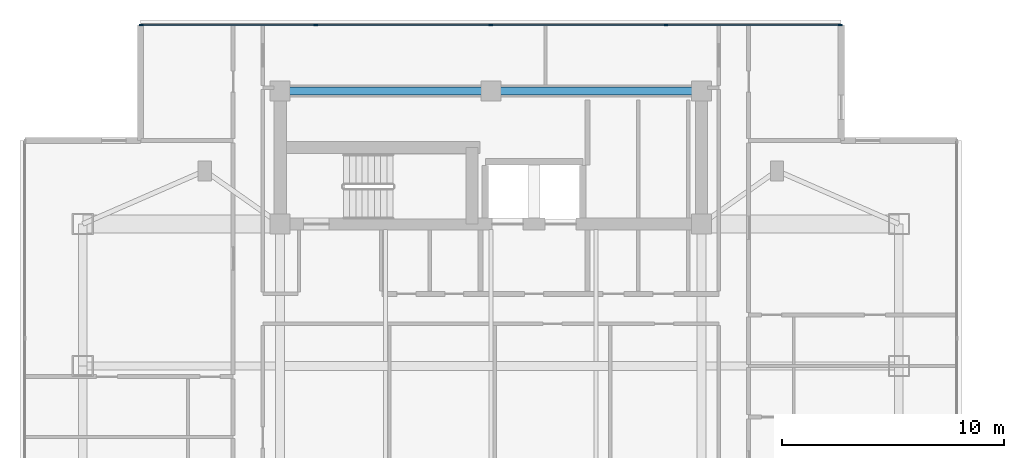
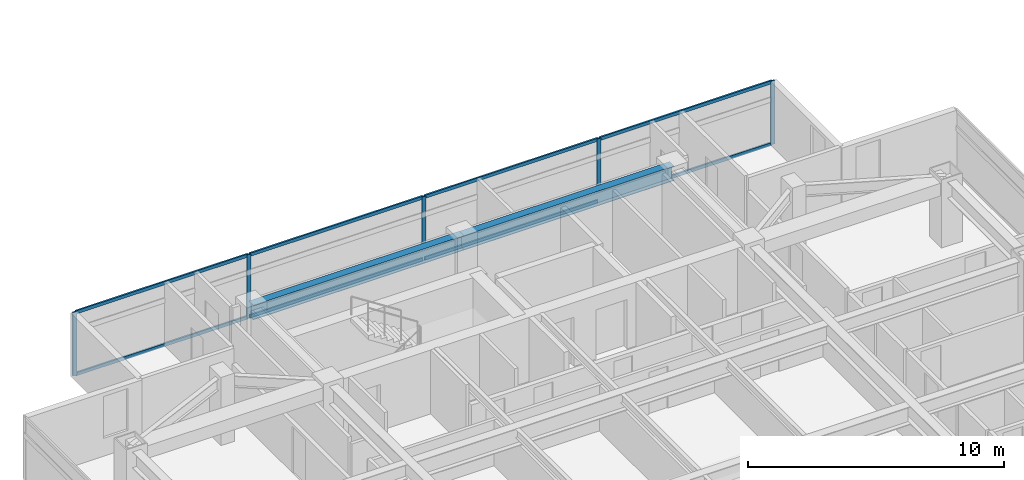
# One storey, part 7 of 26: 13 members, 2 beams, 1 element without a shape of its own.
"""IFC4 building model written with IfcOpenShell, lengths in metres."""

from ifc_helpers import new_model, si_unit, direction, frame, origin, origin_2d, place, context, subcontext, project, spatial, rectangle, i_section, extrude, material, material_profile, profile_set, type_object, element, aggregate, save


model = new_model("IFC4")

# Units and contexts
model_context = context("Model", 3, precision=1e-05, world=origin(), true_north=direction((0.0, 1.0)))
body_context = subcontext(model_context, "Body", "Model", "MODEL_VIEW")
ifc_project = project(units=[si_unit("LENGTHUNIT", "METRE"), si_unit("AREAUNIT", "SQUARE_METRE"), si_unit("VOLUMEUNIT", "CUBIC_METRE"), si_unit("PLANEANGLEUNIT", "RADIAN"), si_unit("MASSUNIT", "GRAM", prefix="KILO")], contexts=[model_context])

# Site, building, storey
site_placement = place(None, origin())
site = spatial("IfcSite", under=ifc_project, at=site_placement, CompositionType="ELEMENT")
building_placement = place(site_placement, origin())
building = spatial("IfcBuilding", under=site, at=building_placement, Name="Mirazonda Arch Towers", CompositionType="ELEMENT")
storey_placement = place(building_placement, frame((0.0, 0.0, 203.14990234375)))
storey = spatial("IfcBuildingStorey", under=building, at=storey_placement, Name="L58", CompositionType="ELEMENT", Elevation=203.14990234375)

# Beams
ifc_material_1 = material(Name="Steel ASTM A992 Grade 50", Category="steel")
ifc_material_profile_1 = material_profile(ifc_material_1, i_section(OverallWidth=0.35498046875, OverallDepth=0.696044921875, WebThickness=0.015380859375, FlangeThickness=0.02490234375, at=origin_2d()), Name="W27X146")
ifc_profile_set_1 = profile_set([ifc_material_profile_1], Name="Steel ASTM A992 Grade 50")
beam_type = type_object("IfcBeamType", Name="BM-INT-W27X146", PredefinedType="BEAM", material=ifc_profile_set_1)
for number, where, z_axis, x_axis, name in (
    (1, (11.0, 43.60009765625, 2.7021484375), (1.0, 0.0, 0.0), (0.0, 1.0, 0.0), "L58 Floor Beam BM-T1-L58-CN1"),
    (2, (20.5, 43.60009765625, 2.7021484375), (1.0, 0.0, 0.0), (0.0, 1.0, 0.0), "L58 Floor Beam BM-T1-L58-CN2"),
):
    element("IfcBeam", number, at=place(storey_placement, frame(where, z_axis=z_axis, x_axis=x_axis)), inside=storey, type_object=beam_type, Name=name, PredefinedType="BEAM", context=body_context, shape_type="SweptSolid", body=[
        extrude(i_section(OverallWidth=0.35498046875, OverallDepth=0.696044921875, WebThickness=0.015380859375, FlangeThickness=0.02490234375, at=origin_2d()), origin(), (0.0, 0.0, 1.0), 9.5),
    ])

# Curtain wall, members
ifc_material_2 = material(Name="Anodised Aluminium and Low-E Glass", Category="aluminium")
curtain_wall_type = type_object("IfcCurtainWallType", Name="CW-RES-UNIT", PredefinedType="NOTDEFINED", material=ifc_material_2)
curtain_wall_placement = place(storey_placement, origin())
curtain_wall = element("IfcCurtainWall", 3, at=curtain_wall_placement, inside=storey, type_object=curtain_wall_type, Name="L58 T1 N Facade CW-L58-T1-N", PredefinedType="NOTDEFINED")
ifc_material_3 = material(Name="Anodised Aluminium Alloy", Category="aluminium")
ifc_material_profile_2 = material_profile(ifc_material_3, rectangle(XDim=0.074951171875, YDim=0.175048828125, at=origin_2d()), Name="ALU-MULL-75x175")
ifc_profile_set_2 = profile_set([ifc_material_profile_2], Name="Anodised Aluminium Alloy")
member_type_1 = type_object("IfcMemberType", Name="MULL-CW-RES-UNIT", PredefinedType="MULLION", material=ifc_profile_set_2)
member_1_placement = place(storey_placement, frame((4.742431640625, 46.577880859375, 0.0), z_axis=(0.0, 0.0, 1.0), x_axis=(0.0, 1.0, 0.0)))
member_1 = element("IfcMember", 4, at=member_1_placement, type_object=member_type_1, Name="CW-104 mullion 1", PredefinedType="MULLION", context=body_context, shape_type="SweptSolid", body=[
    extrude(rectangle(XDim=0.074951171875, YDim=0.175048828125, at=origin_2d()), origin(), (0.0, 0.0, 1.0), 3.030029296875),
])
member_2_placement = place(storey_placement, frame((12.6025390625, 46.577880859375, 0.0), z_axis=(0.0, 0.0, 1.0), x_axis=(0.0, 1.0, 0.0)))
member_2 = element("IfcMember", 5, at=member_2_placement, type_object=member_type_1, Name="CW-104 mullion 2", PredefinedType="MULLION", context=body_context, shape_type="SweptSolid", body=[
    extrude(rectangle(XDim=0.074951171875, YDim=0.175048828125, at=origin_2d()), origin(), (0.0, 0.0, 1.0), 3.030029296875),
])
member_3_placement = place(storey_placement, frame((20.5, 46.577880859375, 0.0), z_axis=(0.0, 0.0, 1.0), x_axis=(0.0, 1.0, 0.0)))
member_3 = element("IfcMember", 6, at=member_3_placement, type_object=member_type_1, Name="CW-104 mullion 3", PredefinedType="MULLION", context=body_context, shape_type="SweptSolid", body=[
    extrude(rectangle(XDim=0.074951171875, YDim=0.175048828125, at=origin_2d()), origin(), (0.0, 0.0, 1.0), 3.030029296875),
])
member_4_placement = place(storey_placement, frame((28.3974609375, 46.577880859375, 0.0), z_axis=(0.0, 0.0, 1.0), x_axis=(0.0, 1.0, 0.0)))
member_4 = element("IfcMember", 7, at=member_4_placement, type_object=member_type_1, Name="CW-104 mullion 4", PredefinedType="MULLION", context=body_context, shape_type="SweptSolid", body=[
    extrude(rectangle(XDim=0.074951171875, YDim=0.175048828125, at=origin_2d()), origin(), (0.0, 0.0, 1.0), 3.030029296875),
])
member_5_placement = place(storey_placement, frame((36.257568359375, 46.577880859375, 0.0), z_axis=(0.0, 0.0, 1.0), x_axis=(0.0, 1.0, 0.0)))
member_5 = element("IfcMember", 8, at=member_5_placement, type_object=member_type_1, Name="CW-104 mullion 5", PredefinedType="MULLION", context=body_context, shape_type="SweptSolid", body=[
    extrude(rectangle(XDim=0.074951171875, YDim=0.175048828125, at=origin_2d()), origin(), (0.0, 0.0, 1.0), 3.030029296875),
])
ifc_material_profile_3 = material_profile(ifc_material_3, rectangle(XDim=0.074951171875, YDim=0.155029296875, at=origin_2d()), Name="ALU-TRAN-75x155")
ifc_profile_set_3 = profile_set([ifc_material_profile_3], Name="Anodised Aluminium Alloy")
member_type_2 = type_object("IfcMemberType", Name="TRAN-CW-RES-UNIT", PredefinedType="USERDEFINED", material=ifc_profile_set_3)
member_6_placement = place(storey_placement, frame((4.780029296875, 46.577880859375, 0.03759765625), z_axis=(1.0, 0.0, 0.0), x_axis=(0.0, 1.0, 0.0)))
member_6 = element("IfcMember", 9, at=member_6_placement, type_object=member_type_2, Name="CW-104 transom 1.1", ObjectType="TRANSOM", PredefinedType="USERDEFINED", context=body_context, shape_type="SweptSolid", body=[
    extrude(rectangle(XDim=0.074951171875, YDim=0.155029296875, at=origin_2d()), origin(), (0.0, 0.0, 1.0), 7.784912109375),
])
member_7_placement = place(storey_placement, frame((4.780029296875, 46.577880859375, 2.99267578125), z_axis=(1.0, 0.0, 0.0), x_axis=(0.0, 1.0, 0.0)))
member_7 = element("IfcMember", 10, at=member_7_placement, type_object=member_type_2, Name="CW-104 transom 1.2", ObjectType="TRANSOM", PredefinedType="USERDEFINED", context=body_context, shape_type="SweptSolid", body=[
    extrude(rectangle(XDim=0.074951171875, YDim=0.155029296875, at=origin_2d()), origin(), (0.0, 0.0, 1.0), 7.784912109375),
])
member_8_placement = place(storey_placement, frame((12.639892578125, 46.577880859375, 0.03759765625), z_axis=(1.0, 0.0, 0.0), x_axis=(0.0, 1.0, 0.0)))
member_8 = element("IfcMember", 11, at=member_8_placement, type_object=member_type_2, Name="CW-104 transom 2.1", ObjectType="TRANSOM", PredefinedType="USERDEFINED", context=body_context, shape_type="SweptSolid", body=[
    extrude(rectangle(XDim=0.074951171875, YDim=0.155029296875, at=origin_2d()), origin(), (0.0, 0.0, 1.0), 7.822509765625),
])
member_9_placement = place(storey_placement, frame((12.639892578125, 46.577880859375, 2.99267578125), z_axis=(1.0, 0.0, 0.0), x_axis=(0.0, 1.0, 0.0)))
member_9 = element("IfcMember", 12, at=member_9_placement, type_object=member_type_2, Name="CW-104 transom 2.2", ObjectType="TRANSOM", PredefinedType="USERDEFINED", context=body_context, shape_type="SweptSolid", body=[
    extrude(rectangle(XDim=0.074951171875, YDim=0.155029296875, at=origin_2d()), origin(), (0.0, 0.0, 1.0), 7.822509765625),
])
member_10_placement = place(storey_placement, frame((20.53759765625, 46.577880859375, 0.03759765625), z_axis=(1.0, 0.0, 0.0), x_axis=(0.0, 1.0, 0.0)))
member_10 = element("IfcMember", 13, at=member_10_placement, type_object=member_type_2, Name="CW-104 transom 3.1", ObjectType="TRANSOM", PredefinedType="USERDEFINED", context=body_context, shape_type="SweptSolid", body=[
    extrude(rectangle(XDim=0.074951171875, YDim=0.155029296875, at=origin_2d()), origin(), (0.0, 0.0, 1.0), 7.822509765625),
])
member_11_placement = place(storey_placement, frame((20.53759765625, 46.577880859375, 2.99267578125), z_axis=(1.0, 0.0, 0.0), x_axis=(0.0, 1.0, 0.0)))
member_11 = element("IfcMember", 14, at=member_11_placement, type_object=member_type_2, Name="CW-104 transom 3.2", ObjectType="TRANSOM", PredefinedType="USERDEFINED", context=body_context, shape_type="SweptSolid", body=[
    extrude(rectangle(XDim=0.074951171875, YDim=0.155029296875, at=origin_2d()), origin(), (0.0, 0.0, 1.0), 7.822509765625),
])
member_12_placement = place(storey_placement, frame((28.43505859375, 46.577880859375, 0.03759765625), z_axis=(1.0, 0.0, 0.0), x_axis=(0.0, 1.0, 0.0)))
member_12 = element("IfcMember", 15, at=member_12_placement, type_object=member_type_2, Name="CW-104 transom 4.1", ObjectType="TRANSOM", PredefinedType="USERDEFINED", context=body_context, shape_type="SweptSolid", body=[
    extrude(rectangle(XDim=0.074951171875, YDim=0.155029296875, at=origin_2d()), origin(), (0.0, 0.0, 1.0), 7.784912109375),
])
member_13_placement = place(storey_placement, frame((28.43505859375, 46.577880859375, 2.99267578125), z_axis=(1.0, 0.0, 0.0), x_axis=(0.0, 1.0, 0.0)))
member_13 = element("IfcMember", 16, at=member_13_placement, type_object=member_type_2, Name="CW-104 transom 4.2", ObjectType="TRANSOM", PredefinedType="USERDEFINED", context=body_context, shape_type="SweptSolid", body=[
    extrude(rectangle(XDim=0.074951171875, YDim=0.155029296875, at=origin_2d()), origin(), (0.0, 0.0, 1.0), 7.784912109375),
])
aggregate(curtain_wall, [member_1, member_2, member_3, member_4, member_5, member_6, member_7, member_8, member_9, member_10, member_11, member_12, member_13])

save(model, "model.ifc")
